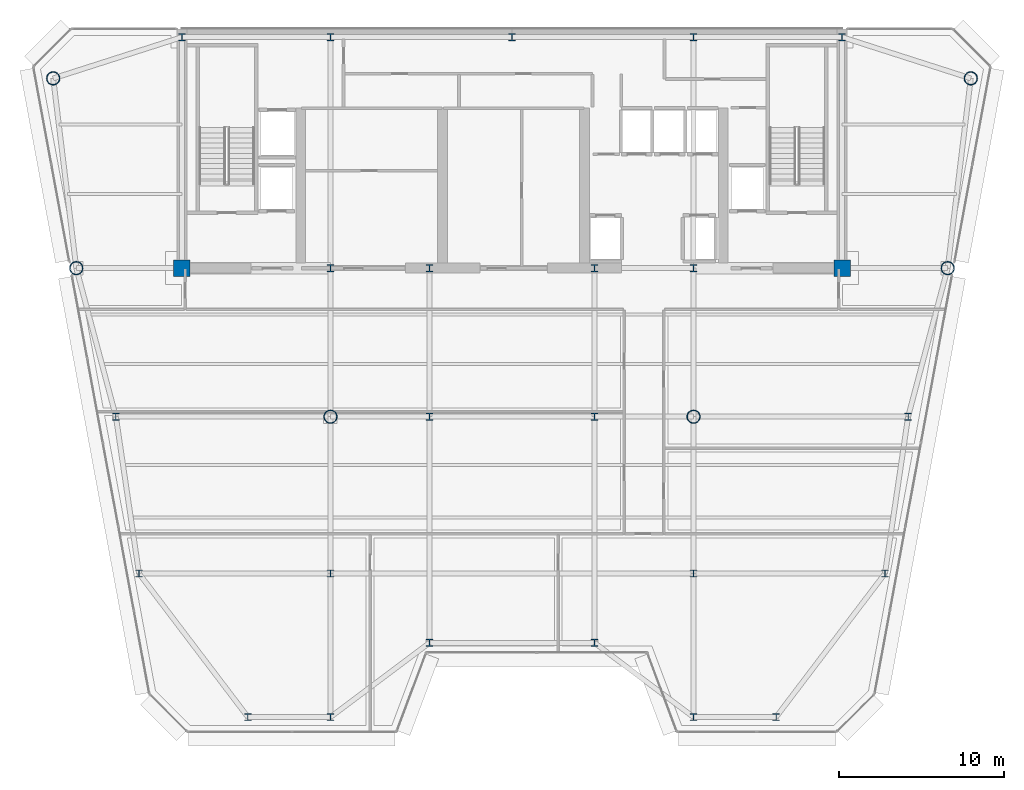
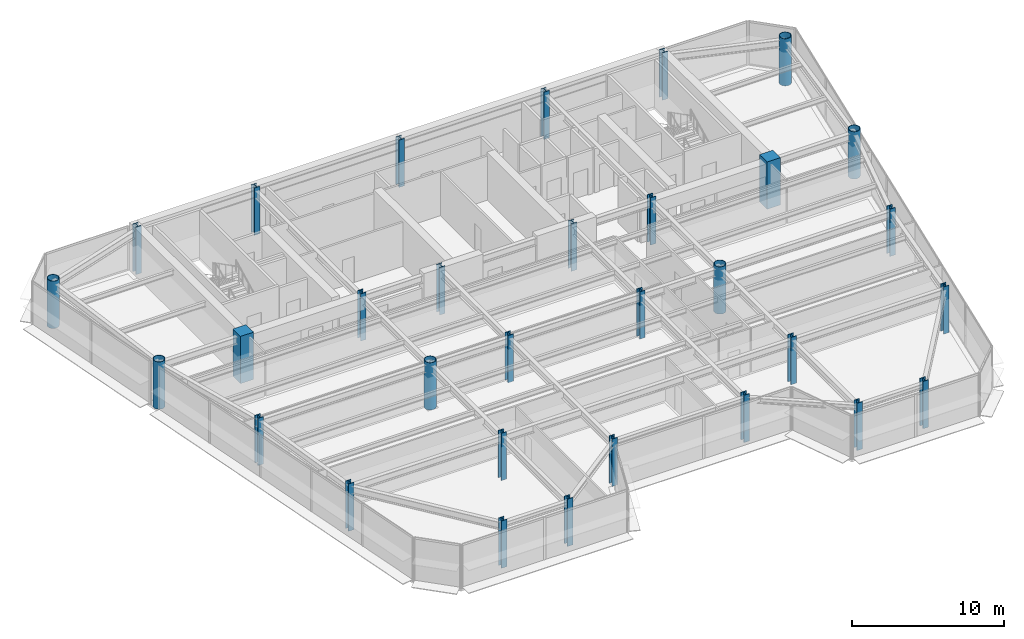
# One storey, part 1 of 17: 31 columns.
"""IFC4 building model written with IfcOpenShell, lengths in metres."""

from ifc_helpers import new_model, si_unit, direction, frame, origin, origin_2d, place, context, subcontext, project, spatial, rectangle, hollow_circle, i_section, extrude, source, transform, mapped, material, material_profile, profile_set, type_object, element, save


model = new_model("IFC4")

# Units and contexts
model_context = context("Model", 3, precision=1e-05, world=origin(), true_north=direction((0.0, 1.0)))
body_context = subcontext(model_context, "Body", "Model", "MODEL_VIEW")
ifc_project = project(units=[si_unit("LENGTHUNIT", "METRE"), si_unit("AREAUNIT", "SQUARE_METRE"), si_unit("VOLUMEUNIT", "CUBIC_METRE"), si_unit("PLANEANGLEUNIT", "RADIAN"), si_unit("MASSUNIT", "GRAM", prefix="KILO")], contexts=[model_context])

# Site, building, storey
site_placement = place(None, origin())
site = spatial("IfcSite", under=ifc_project, at=site_placement, CompositionType="ELEMENT")
building_placement = place(site_placement, origin())
building = spatial("IfcBuilding", under=site, at=building_placement, Name="Vaeldorn Concourse Tower", CompositionType="ELEMENT")
storey_placement = place(building_placement, frame((0.0, 0.0, 214.60009765625)))
storey = spatial("IfcBuildingStorey", under=building, at=storey_placement, Name="L55", CompositionType="ELEMENT", Elevation=214.60009765625)

# Columns
ifc_material_1 = material(Name="Concrete C50/60", Category="concrete")
ifc_material_profile_1 = material_profile(ifc_material_1, rectangle(XDim=1.0, YDim=1.0, at=origin_2d()), Name="RC 1000x1000")
ifc_profile_set_1 = profile_set([ifc_material_profile_1], Name="Concrete C50/60")
column_type_1 = type_object("IfcColumnType", Name="COL-RC1000", PredefinedType="COLUMN", material=ifc_profile_set_1)
shared_shape_1 = source(origin(), body_context, "Body", "SweptSolid", [
    extrude(rectangle(XDim=1.0, YDim=1.0, at=origin_2d()), origin(), (0.0, 0.0, 1.0), 3.7998046875),
])
for number, where, z_axis, x_axis, name in (
    (1, (14.0, 36.5, 0.0), (0.0, 0.0, 1.0), (1.0, 0.0, 0.0), "Column C-FC1 L55"),
    (2, (54.0, 36.5, 0.0), (0.0, 0.0, 1.0), (1.0, 0.0, 0.0), "Column C-FC6 L55"),
):
    element("IfcColumn", number, at=place(storey_placement, frame(where, z_axis=z_axis, x_axis=x_axis)), inside=storey, type_object=column_type_1, Name=name, PredefinedType="COLUMN", context=body_context, shape_type="MappedRepresentation", body=[
        mapped(shared_shape_1, transform((0.0, 0.0, 0.0), scale=1.0)),
    ])
ifc_material_2 = material(Name="Steel S460", Category="steel")
ifc_material_profile_2 = material_profile(ifc_material_2, i_section(OverallWidth=0.41796875, OverallDepth=0.455078125, WebThickness=0.0419921875, FlangeThickness=0.05810546875, FilletRadius=0.014892578125, at=origin_2d()), Name="HD 400x551")
ifc_profile_set_2 = profile_set([ifc_material_profile_2], Name="Steel S460")
column_type_2 = type_object("IfcColumnType", Name="COL-HD551", PredefinedType="COLUMN", material=ifc_profile_set_2)
shared_shape_2 = source(origin(), body_context, "Body", "SweptSolid", [
    extrude(i_section(OverallWidth=0.41796875, OverallDepth=0.455078125, WebThickness=0.0419921875, FlangeThickness=0.05810546875, FilletRadius=0.014892578125, at=origin_2d()), origin(), (0.0, 0.0, 1.0), 3.7998046875),
])
for number, where, z_axis, x_axis, name in (
    (3, (23.0, 36.5, 0.0), (0.0, 0.0, 1.0), (1.0, 0.0, 0.0), "Column C-FC2 L55"),
    (4, (29.0, 36.5, 0.0), (0.0, 0.0, 1.0), (1.0, 0.0, 0.0), "Column C-FC3 L55"),
    (5, (39.0, 36.5, 0.0), (0.0, 0.0, 1.0), (1.0, 0.0, 0.0), "Column C-FC4 L55"),
    (6, (45.0, 36.5, 0.0), (0.0, 0.0, 1.0), (1.0, 0.0, 0.0), "Column C-FC5 L55"),
    (7, (14.0, 50.5, 0.0), (0.0, 0.0, 1.0), (1.0, 0.0, 0.0), "Column C-HC1 L55"),
    (8, (23.0, 50.5, 0.0), (0.0, 0.0, 1.0), (1.0, 0.0, 0.0), "Column C-HC2 L55"),
    (9, (34.0, 50.5, 0.0), (0.0, 0.0, 1.0), (1.0, 0.0, 0.0), "Column C-HC3 L55"),
    (10, (45.0, 50.5, 0.0), (0.0, 0.0, 1.0), (1.0, 0.0, 0.0), "Column C-HC4 L55"),
    (11, (54.0, 50.5, 0.0), (0.0, 0.0, 1.0), (1.0, 0.0, 0.0), "Column C-HC5 L55"),
):
    element("IfcColumn", number, at=place(storey_placement, frame(where, z_axis=z_axis, x_axis=x_axis)), inside=storey, type_object=column_type_2, Name=name, PredefinedType="COLUMN", context=body_context, shape_type="MappedRepresentation", body=[
        mapped(shared_shape_2, transform((0.0, 0.0, 0.0), scale=1.0)),
    ])
ifc_material_profile_3 = material_profile(ifc_material_2, hollow_circle(Radius=0.406494140625, WallThickness=0.0400390625, at=origin_2d()), Name="CHS 813x40")
ifc_profile_set_3 = profile_set([ifc_material_profile_3], Name="Steel S460")
column_type_3 = type_object("IfcColumnType", Name="COL-CHS813", PredefinedType="COLUMN", material=ifc_profile_set_3)
shared_shape_3 = source(origin(), body_context, "Body", "SweptSolid", [
    extrude(hollow_circle(Radius=0.406494140625, WallThickness=0.0400390625, at=origin_2d()), origin(), (0.0, 0.0, 1.0), 3.7998046875),
])
for number, where, z_axis, x_axis, name in (
    (12, (6.199951171875, 48.0, 0.0), (0.0, 0.0, 1.0), (1.0, 0.0, 0.0), "Column C-NW1 L55"),
    (13, (7.60009765625, 36.5, 0.0), (0.0, 0.0, 1.0), (1.0, 0.0, 0.0), "Column C-NW2 L55"),
    (14, (61.800048828125, 48.0, 0.0), (0.0, 0.0, 1.0), (1.0, 0.0, 0.0), "Column C-NE1 L55"),
    (15, (60.39990234375, 36.5, 0.0), (0.0, 0.0, 1.0), (1.0, 0.0, 0.0), "Column C-NE2 L55"),
    (16, (23.0, 27.5, 0.0), (0.0, 0.0, 1.0), (1.0, 0.0, 0.0), "Column C-TW1 L55"),
    (17, (45.0, 27.5, 0.0), (0.0, 0.0, 1.0), (1.0, 0.0, 0.0), "Column C-TW4 L55"),
):
    element("IfcColumn", number, at=place(storey_placement, frame(where, z_axis=z_axis, x_axis=x_axis)), inside=storey, type_object=column_type_3, Name=name, PredefinedType="COLUMN", context=body_context, shape_type="MappedRepresentation", body=[
        mapped(shared_shape_3, transform((0.0, 0.0, 0.0), scale=1.0)),
    ])
ifc_material_3 = material(Name="Steel S355", Category="steel")
ifc_material_profile_4 = material_profile(ifc_material_3, i_section(OverallWidth=0.412109375, OverallDepth=0.43505859375, WebThickness=0.035888671875, FlangeThickness=0.050048828125, FilletRadius=0.014892578125, at=origin_2d()), Name="HD 400x463")
ifc_profile_set_4 = profile_set([ifc_material_profile_4], Name="Steel S355")
column_type_4 = type_object("IfcColumnType", Name="COL-HD463F", PredefinedType="COLUMN", material=ifc_profile_set_4)
shared_shape_4 = source(origin(), body_context, "Body", "SweptSolid", [
    extrude(i_section(OverallWidth=0.412109375, OverallDepth=0.43505859375, WebThickness=0.035888671875, FlangeThickness=0.050048828125, FilletRadius=0.014892578125, at=origin_2d()), origin(), (0.0, 0.0, 1.0), 3.7998046875),
])
for number, where, z_axis, x_axis, name in (
    (18, (10.0, 27.5, 0.0), (0.0, 0.0, 1.0), (1.0, 0.0, 0.0), "Column C-FLW1 L55"),
    (19, (11.39990234375, 18.0, 0.0), (0.0, 0.0, 1.0), (1.0, 0.0, 0.0), "Column C-FLW2 L55"),
    (20, (58.0, 27.5, 0.0), (0.0, 0.0, 1.0), (1.0, 0.0, 0.0), "Column C-FLE1 L55"),
    (21, (56.60009765625, 18.0, 0.0), (0.0, 0.0, 1.0), (1.0, 0.0, 0.0), "Column C-FLE2 L55"),
):
    element("IfcColumn", number, at=place(storey_placement, frame(where, z_axis=z_axis, x_axis=x_axis)), inside=storey, type_object=column_type_4, Name=name, PredefinedType="COLUMN", context=body_context, shape_type="MappedRepresentation", body=[
        mapped(shared_shape_4, transform((0.0, 0.0, 0.0), scale=1.0)),
    ])
ifc_material_profile_5 = material_profile(ifc_material_3, i_section(OverallWidth=0.412109375, OverallDepth=0.43505859375, WebThickness=0.035888671875, FlangeThickness=0.050048828125, FilletRadius=0.014892578125, at=origin_2d()), Name="HD 400x463")
ifc_profile_set_5 = profile_set([ifc_material_profile_5], Name="Steel S355")
column_type_5 = type_object("IfcColumnType", Name="COL-HD463T", PredefinedType="COLUMN", material=ifc_profile_set_5)
shared_shape_5 = source(origin(), body_context, "Body", "SweptSolid", [
    extrude(i_section(OverallWidth=0.412109375, OverallDepth=0.43505859375, WebThickness=0.035888671875, FlangeThickness=0.050048828125, FilletRadius=0.014892578125, at=origin_2d()), origin(), (0.0, 0.0, 1.0), 3.7998046875),
])
for number, where, z_axis, x_axis, name in (
    (22, (29.0, 27.5, 0.0), (0.0, 0.0, 1.0), (1.0, 0.0, 0.0), "Column C-TW2 L55"),
    (23, (39.0, 27.5, 0.0), (0.0, 0.0, 1.0), (1.0, 0.0, 0.0), "Column C-TW3 L55"),
    (24, (23.0, 18.0, 0.0), (0.0, 0.0, 1.0), (1.0, 0.0, 0.0), "Column C-TW5 L55"),
    (25, (45.0, 18.0, 0.0), (0.0, 0.0, 1.0), (1.0, 0.0, 0.0), "Column C-TW6 L55"),
    (26, (18.0, 9.300048828125, 0.0), (0.0, 0.0, 1.0), (1.0, 0.0, 0.0), "Column C-SF1 L55"),
    (27, (23.0, 9.300048828125, 0.0), (0.0, 0.0, 1.0), (1.0, 0.0, 0.0), "Column C-SF2 L55"),
    (28, (29.0, 13.800048828125, 0.0), (0.0, 0.0, 1.0), (1.0, 0.0, 0.0), "Column C-SF3 L55"),
    (29, (39.0, 13.800048828125, 0.0), (0.0, 0.0, 1.0), (1.0, 0.0, 0.0), "Column C-SF4 L55"),
    (30, (45.0, 9.300048828125, 0.0), (0.0, 0.0, 1.0), (1.0, 0.0, 0.0), "Column C-SF5 L55"),
    (31, (50.0, 9.300048828125, 0.0), (0.0, 0.0, 1.0), (1.0, 0.0, 0.0), "Column C-SF6 L55"),
):
    element("IfcColumn", number, at=place(storey_placement, frame(where, z_axis=z_axis, x_axis=x_axis)), inside=storey, type_object=column_type_5, Name=name, PredefinedType="COLUMN", context=body_context, shape_type="MappedRepresentation", body=[
        mapped(shared_shape_5, transform((0.0, 0.0, 0.0), scale=1.0)),
    ])

save(model, "model.ifc")
